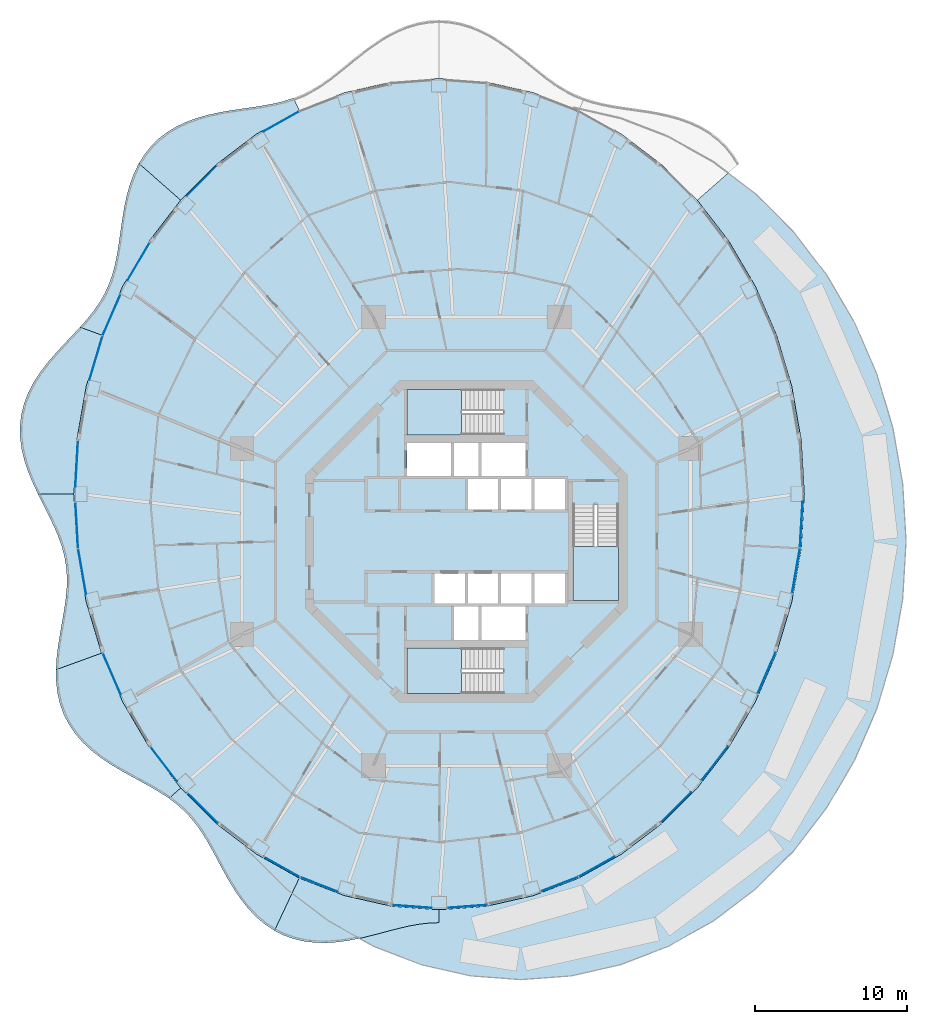
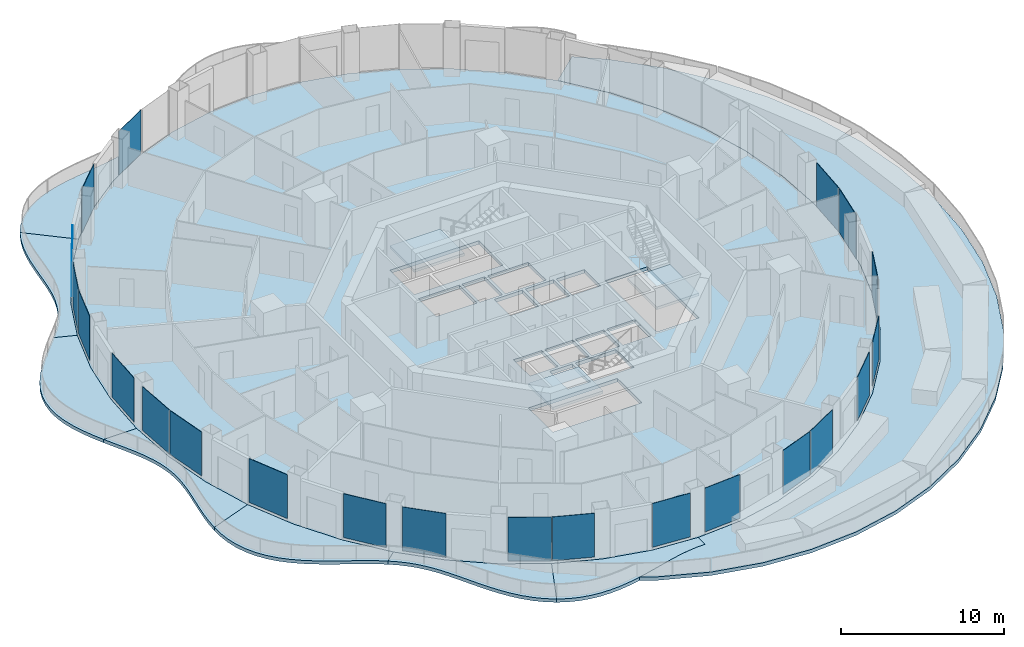
# One storey, part 8 of 18: 22 plates, 12 slabs, 25 elements without a shape of their own.
"""IFC4 building model written with IfcOpenShell, lengths in metres."""

from ifc_helpers import new_model, si_unit, direction, frame, origin, origin_2d, place, context, subcontext, project, spatial, polyline, rectangle, outline, extrude, material, layer, layer_set, type_object, element, aggregate, save


model = new_model("IFC4")

# Units and contexts
model_context = context("Model", 3, precision=1e-05, world=origin(), true_north=direction((0.0, 1.0)))
body_context = subcontext(model_context, "Body", "Model", "MODEL_VIEW")
ifc_project = project(units=[si_unit("LENGTHUNIT", "METRE"), si_unit("AREAUNIT", "SQUARE_METRE"), si_unit("VOLUMEUNIT", "CUBIC_METRE"), si_unit("PLANEANGLEUNIT", "RADIAN"), si_unit("MASSUNIT", "GRAM", prefix="KILO")], contexts=[model_context])

# Site, building, storey
site_placement = place(None, origin())
site = spatial("IfcSite", under=ifc_project, at=site_placement, CompositionType="ELEMENT")
building_placement = place(site_placement, origin())
building = spatial("IfcBuilding", under=site, at=building_placement, Name="Nagisa Residences", CompositionType="ELEMENT")
storey_placement = place(building_placement, frame((0.0, 0.0, 212.199951171875)))
storey = spatial("IfcBuildingStorey", under=building, at=storey_placement, Name="L53", CompositionType="ELEMENT", Elevation=212.199951171875)

# Slabs
ifc_material_1 = material(Name="Concrete C40/50", Category="concrete")
ifc_layer_1 = layer(ifc_material_1, 0.25)
ifc_layer_set_1 = layer_set([ifc_layer_1], Name="BALCONY SLAB 250")
slab_type_1 = type_object("IfcSlabType", Name="BALCONY SLAB 250", PredefinedType="FLOOR", material=ifc_layer_set_1)
slab_1_placement = place(storey_placement, frame((0.0, 0.0, -0.25)))
element("IfcSlab", 1, at=slab_1_placement, inside=storey, type_object=slab_type_1, Name="slab:L53:bal05", PredefinedType="FLOOR", context=body_context, shape_type="SweptSolid", body=[
    extrude(outline(polyline([(-11.384521484375, 29.21484375), (-12.0029296875, 29.016845703125), (-12.648193359375, 28.857421875), (-13.320556640625, 28.727783203125), (-14.0185546875, 28.617431640625), (-14.737548828125, 28.514404296875), (-15.4716796875, 28.405517578125), (-16.212646484375, 28.2783203125), (-16.951171875, 28.12060546875), (-17.676513671875, 27.92138671875), (-18.378173828125, 27.67138671875), (-19.045166015625, 27.3642578125), (-19.66748046875, 26.9951171875), (-20.2373046875, 26.562744140625), (-20.747802734375, 26.068115234375), (-21.194580078125, 25.514404296875), (-21.576416015625, 24.90771484375), (-18.820068359375, 22.4853515625), (-16.452880859375, 24.84765625), (-13.8349609375, 26.838134765625), (-11.01123046875, 28.4228515625), (-11.384521484375, 29.21484375)])), origin(), (0.0, 0.0, 1.0), 0.25),
])
slab_2_placement = place(storey_placement, frame((0.0, 0.0, -0.25)))
element("IfcSlab", 2, at=slab_2_placement, inside=storey, type_object=slab_type_1, Name="slab:L53:bal06", PredefinedType="FLOOR", context=body_context, shape_type="SweptSolid", body=[
    extrude(outline(polyline([(-21.576416015625, 24.90771484375), (-21.908447265625, 24.222412109375), (-22.175048828125, 23.498046875), (-22.384033203125, 22.74560546875), (-22.546142578125, 21.9775390625), (-22.67431640625, 21.20556640625), (-22.782958984375, 20.43994140625), (-22.88720703125, 19.690185546875), (-23.002197265625, 18.963623046875), (-23.14208984375, 18.26513671875), (-23.31884765625, 17.59765625), (-23.542236328125, 16.961181640625), (-23.818603515625, 16.353759765625), (-24.15087890625, 15.771484375), (-24.538330078125, 15.208984375), (-24.975830078125, 14.659423828125), (-25.45556640625, 14.115478515625), (-24.037841796875, 13.599365234375), (-22.645263671875, 16.812744140625), (-20.89599609375, 19.791748046875), (-18.820068359375, 22.4853515625), (-21.576416015625, 24.90771484375)])), origin(), (0.0, 0.0, 1.0), 0.25),
])
slab_3_placement = place(storey_placement, frame((0.0, 0.0, -0.25)))
element("IfcSlab", 3, at=slab_3_placement, inside=storey, type_object=slab_type_1, Name="slab:L53:bal07", PredefinedType="FLOOR", context=body_context, shape_type="SweptSolid", body=[
    extrude(outline(polyline([(-25.45556640625, 14.115478515625), (-25.982177734375, 13.552490234375), (-26.525634765625, 12.979736328125), (-27.068359375, 12.391357421875), (-27.591552734375, 11.781494140625), (-28.07666015625, 11.146728515625), (-28.506103515625, 10.485595703125), (-28.864501953125, 9.798583984375), (-29.139404296875, 9.08740234375), (-29.322265625, 8.356201171875), (-29.40869140625, 7.609619140625), (-29.399169921875, 6.853271484375), (-29.29833984375, 6.093017578125), (-29.11572265625, 5.3349609375), (-28.864013671875, 4.583984375), (-28.559326171875, 3.843994140625), (-28.219970703125, 3.11767578125), (-25.8701171875, 3.11767578125), (-25.6640625, 6.69287109375), (-25.0498046875, 10.206787109375), (-24.037841796875, 13.599365234375), (-25.45556640625, 14.115478515625)])), origin(), (0.0, 0.0, 1.0), 0.25),
])
slab_4_placement = place(storey_placement, frame((0.0, 0.0, -0.25)))
element("IfcSlab", 4, at=slab_4_placement, inside=storey, type_object=slab_type_1, Name="slab:L53:bal08", PredefinedType="FLOOR", context=body_context, shape_type="SweptSolid", body=[
    extrude(outline(polyline([(-28.219970703125, 3.11767578125), (-27.865234375, 2.406494140625), (-27.514404296875, 1.70947265625), (-27.185546875, 1.02490234375), (-26.894775390625, 0.34912109375), (-26.655517578125, -0.322021484375), (-26.476318359375, -0.993896484375), (-26.3623046875, -1.671630859375), (-26.313720703125, -2.3603515625), (-26.32666015625, -3.064453125), (-26.391845703125, -3.78662109375), (-26.49755859375, -4.528564453125), (-26.6279296875, -5.289794921875), (-26.765625, -6.068115234375), (-26.891845703125, -6.859375), (-26.988037109375, -7.65771484375), (-27.03662109375, -8.45556640625), (-24.037841796875, -7.364013671875), (-25.0498046875, -3.971435546875), (-25.6640625, -0.45751953125), (-25.8701171875, 3.11767578125), (-28.219970703125, 3.11767578125)])), origin(), (0.0, 0.0, 1.0), 0.25),
])
slab_5_placement = place(storey_placement, frame((0.0, 0.0, -0.25)))
element("IfcSlab", 5, at=slab_5_placement, inside=storey, type_object=slab_type_1, Name="slab:L53:bal09", PredefinedType="FLOOR", context=body_context, shape_type="SweptSolid", body=[
    extrude(outline(polyline([(-27.03662109375, -8.45556640625), (-27.0234375, -9.220458984375), (-26.939453125, -9.96923828125), (-26.776123046875, -10.69384765625), (-26.529052734375, -11.38671875), (-26.197265625, -12.0419921875), (-25.783447265625, -12.654541015625), (-25.294677734375, -13.22216796875), (-24.739990234375, -13.743896484375), (-24.132080078125, -14.221923828125), (-23.485107421875, -14.66015625), (-22.814208984375, -15.065673828125), (-22.13427734375, -15.4462890625), (-21.46044921875, -15.812255859375), (-20.8056640625, -16.174072265625), (-20.180908203125, -16.543212890625), (-19.593994140625, -16.93017578125), (-18.820068359375, -16.25), (-20.89599609375, -13.556396484375), (-22.645263671875, -10.577392578125), (-24.037841796875, -7.364013671875), (-27.03662109375, -8.45556640625)])), origin(), (0.0, 0.0, 1.0), 0.25),
])
slab_6_placement = place(storey_placement, frame((0.0, 0.0, -0.25)))
element("IfcSlab", 6, at=slab_6_placement, inside=storey, type_object=slab_type_1, Name="slab:L53:bal10", PredefinedType="FLOOR", context=body_context, shape_type="SweptSolid", body=[
    extrude(outline(polyline([(-19.593994140625, -16.93017578125), (-19.074951171875, -17.324462890625), (-18.59619140625, -17.7509765625), (-18.15673828125, -18.214111328125), (-17.7529296875, -18.717041015625), (-17.378173828125, -19.259765625), (-17.02490234375, -19.840087890625), (-16.68310546875, -20.452392578125), (-16.3427734375, -21.08935546875), (-15.99365234375, -21.74072265625), (-15.625732421875, -22.39501953125), (-15.22998046875, -23.039306640625), (-14.798828125, -23.65966796875), (-14.326904296875, -24.242919921875), (-13.810302734375, -24.775634765625), (-13.248291015625, -25.246826171875), (-12.6416015625, -25.646728515625), (-11.01123046875, -22.187255859375), (-13.8349609375, -20.602783203125), (-16.452880859375, -18.6123046875), (-18.820068359375, -16.25), (-19.593994140625, -16.93017578125)])), origin(), (0.0, 0.0, 1.0), 0.25),
])
slab_7_placement = place(storey_placement, frame((0.0, 0.0, -0.25)))
element("IfcSlab", 7, at=slab_7_placement, inside=storey, type_object=slab_type_1, Name="slab:L53:bal11", PredefinedType="FLOOR", context=body_context, shape_type="SweptSolid", body=[
    extrude(outline(polyline([(-12.6416015625, -25.646728515625), (-12.01806640625, -25.95849609375), (-11.36083984375, -26.194091796875), (-10.675537109375, -26.353271484375), (-9.968994140625, -26.437744140625), (-9.24853515625, -26.45263671875), (-8.521240234375, -26.40576171875), (-7.794189453125, -26.306640625), (-7.0732421875, -26.1669921875), (-6.363037109375, -26.000244140625), (-5.66748046875, -25.8193359375), (-4.988037109375, -25.63818359375), (-4.325439453125, -25.4697265625), (-3.678466796875, -25.325439453125), (-3.04443359375, -25.215087890625), (-2.419921875, -25.14599609375), (-1.800048828125, -25.122314453125), (-1.800048828125, -24.272216796875), (-4.941650390625, -24.0380859375), (-8.02978515625, -23.339111328125), (-11.01123046875, -22.187255859375), (-12.6416015625, -25.646728515625)])), origin(), (0.0, 0.0, 1.0), 0.25),
])

# Curtain wall, plate
ifc_material_2 = material(Name="Concrete-coloured aluminium curtain wall system", Category="concrete")
ifc_layer_2 = layer(ifc_material_2, 0.159912109375)
ifc_layer_set_2 = layer_set([ifc_layer_2], Name="CW1 CURTAIN WALL")
curtain_wall_type = type_object("IfcCurtainWallType", Name="CW1 CURTAIN WALL", PredefinedType="NOTDEFINED", material=ifc_layer_set_2)
curtain_wall_1_placement = place(storey_placement, origin())
curtain_wall_1 = element("IfcCurtainWall", 8, at=curtain_wall_1_placement, inside=storey, type_object=curtain_wall_type, Name="cw:CW1:L53:15", PredefinedType="NOTDEFINED")
ifc_material_3 = material(Name="Clear laminated glass", Category="glass")
ifc_layer_3 = layer(ifc_material_3, 0.028076171875)
ifc_layer_set_3 = layer_set([ifc_layer_3], Name="CW1 GLASS PANEL")
plate_type = type_object("IfcPlateType", Name="CW1 GLASS PANEL", PredefinedType="CURTAIN_PANEL", material=ifc_layer_set_3)
plate_1_placement = place(storey_placement, frame((-12.192138671875, 27.66845703125, 0.150146484375), z_axis=(0.0, 0.0, 1.0), x_axis=(-0.872072377523, -0.489376918501, 0.0)))
plate_1 = element("IfcPlate", 9, at=plate_1_placement, type_object=plate_type, Name="CW1 panel", PredefinedType="CURTAIN_PANEL", context=body_context, shape_type="SweptSolid", body=[
    extrude(rectangle(XDim=2.677978515625, YDim=0.028076171875, at=origin_2d()), origin(), (0.0, 0.0, 1.0), 3.2900390625),
])
aggregate(curtain_wall_1, [plate_1])

curtain_wall_2_placement = place(storey_placement, origin())
curtain_wall_2 = element("IfcCurtainWall", 10, at=curtain_wall_2_placement, inside=storey, type_object=curtain_wall_type, Name="cw:CW1:L53:17", PredefinedType="NOTDEFINED")
plate_2_placement = place(storey_placement, frame((-17.42431640625, 23.765380859375, 0.150146484375), z_axis=(0.0, 0.0, 1.0), x_axis=(-0.707835924016, -0.706376885714, 0.0)))
plate_2 = element("IfcPlate", 11, at=plate_2_placement, type_object=plate_type, Name="CW1 panel", PredefinedType="CURTAIN_PANEL", context=body_context, shape_type="SweptSolid", body=[
    extrude(rectangle(XDim=2.7841796875, YDim=0.028076171875, at=origin_2d()), origin(), (0.0, 0.0, 1.0), 3.2900390625),
])
aggregate(curtain_wall_2, [plate_2])

curtain_wall_3_placement = place(storey_placement, origin())
curtain_wall_3 = element("IfcCurtainWall", 12, at=curtain_wall_3_placement, inside=storey, type_object=curtain_wall_type, Name="cw:CW1:L53:19", PredefinedType="NOTDEFINED")
plate_3_placement = place(storey_placement, frame((-21.59033203125, 18.451416015625, 0.150146484375), z_axis=(0.0, 0.0, 1.0), x_axis=(-0.506348567002, -0.862328898214, 0.0)))
plate_3 = element("IfcPlate", 13, at=plate_3_placement, type_object=plate_type, Name="CW1 panel", PredefinedType="CURTAIN_PANEL", context=body_context, shape_type="SweptSolid", body=[
    extrude(rectangle(XDim=2.89453125, YDim=0.028076171875, at=origin_2d()), origin(), (0.0, 0.0, 1.0), 3.2900390625),
])
aggregate(curtain_wall_3, [plate_3])

curtain_wall_4_placement = place(storey_placement, origin())
curtain_wall_4 = element("IfcCurtainWall", 14, at=curtain_wall_4_placement, inside=storey, type_object=curtain_wall_type, Name="cw:CW1:L53:20", PredefinedType="NOTDEFINED")
plate_4_placement = place(storey_placement, frame((-23.37939453125, 14.917236328125, 0.150146484375), z_axis=(0.0, 0.0, 1.0), x_axis=(-0.397635934147, -0.917543276295, 0.0)))
plate_4 = element("IfcPlate", 15, at=plate_4_placement, type_object=plate_type, Name="CW1 panel", PredefinedType="CURTAIN_PANEL", context=body_context, shape_type="SweptSolid", body=[
    extrude(rectangle(XDim=2.942138671875, YDim=0.028076171875, at=origin_2d()), origin(), (0.0, 0.0, 1.0), 3.2900390625),
])
aggregate(curtain_wall_4, [plate_4])

curtain_wall_5_placement = place(storey_placement, origin())
curtain_wall_5 = element("IfcCurtainWall", 16, at=curtain_wall_5_placement, inside=storey, type_object=curtain_wall_type, Name="cw:CW1:L53:21", PredefinedType="NOTDEFINED")
plate_5_placement = place(storey_placement, frame((-24.404296875, 12.091064453125, 0.150146484375), z_axis=(0.0, 0.0, 1.0), x_axis=(-0.285860274038, -0.958271310082, 0.0)))
plate_5 = element("IfcPlate", 17, at=plate_5_placement, type_object=plate_type, Name="CW1 panel", PredefinedType="CURTAIN_PANEL", context=body_context, shape_type="SweptSolid", body=[
    extrude(rectangle(XDim=2.98046875, YDim=0.028076171875, at=origin_2d()), origin(), (0.0, 0.0, 1.0), 3.2900390625),
])
aggregate(curtain_wall_5, [plate_5])

curtain_wall_6_placement = place(storey_placement, origin())
curtain_wall_6 = element("IfcCurtainWall", 18, at=curtain_wall_6_placement, inside=storey, type_object=curtain_wall_type, Name="cw:CW1:L53:23", PredefinedType="NOTDEFINED")
plate_6_placement = place(storey_placement, frame((-25.674560546875, 5.120361328125, 0.150146484375), z_axis=(0.0, 0.0, 1.0), x_axis=(-0.057503492216, -0.998345305184, 0.0)))
plate_6 = element("IfcPlate", 19, at=plate_6_placement, type_object=plate_type, Name="CW1 panel", PredefinedType="CURTAIN_PANEL", context=body_context, shape_type="SweptSolid", body=[
    extrude(rectangle(XDim=3.02099609375, YDim=0.028076171875, at=origin_2d()), origin(), (0.0, 0.0, 1.0), 3.2900390625),
])
aggregate(curtain_wall_6, [plate_6])

curtain_wall_7_placement = place(storey_placement, origin())
curtain_wall_7 = element("IfcCurtainWall", 20, at=curtain_wall_7_placement, inside=storey, type_object=curtain_wall_type, Name="cw:CW1:L53:24", PredefinedType="NOTDEFINED")
plate_7_placement = place(storey_placement, frame((-25.671142578125, 1.05517578125, 0.150146484375), z_axis=(0.0, 0.0, 1.0), x_axis=(0.057503492216, -0.998345305184, 0.0)))
plate_7 = element("IfcPlate", 21, at=plate_7_placement, type_object=plate_type, Name="CW1 panel", PredefinedType="CURTAIN_PANEL", context=body_context, shape_type="SweptSolid", body=[
    extrude(rectangle(XDim=3.02099609375, YDim=0.028076171875, at=origin_2d()), origin(), (0.0, 0.0, 1.0), 3.2900390625),
])
aggregate(curtain_wall_7, [plate_7])

curtain_wall_8_placement = place(storey_placement, origin())
curtain_wall_8 = element("IfcCurtainWall", 22, at=curtain_wall_8_placement, inside=storey, type_object=curtain_wall_type, Name="cw:CW1:L53:25", PredefinedType="NOTDEFINED")
plate_8_placement = place(storey_placement, frame((-25.31591796875, -1.98388671875, 0.150146484375), z_axis=(0.0, 0.0, 1.0), x_axis=(0.172190868898, -0.985063604377, 0.0)))
plate_8 = element("IfcPlate", 23, at=plate_8_placement, type_object=plate_type, Name="CW1 panel", PredefinedType="CURTAIN_PANEL", context=body_context, shape_type="SweptSolid", body=[
    extrude(rectangle(XDim=3.00732421875, YDim=0.028076171875, at=origin_2d()), origin(), (0.0, 0.0, 1.0), 3.2900390625),
])
aggregate(curtain_wall_8, [plate_8])

curtain_wall_9_placement = place(storey_placement, origin())
curtain_wall_9 = element("IfcCurtainWall", 24, at=curtain_wall_9_placement, inside=storey, type_object=curtain_wall_type, Name="cw:CW1:L53:27", PredefinedType="NOTDEFINED")
plate_9_placement = place(storey_placement, frame((-23.35546875, -8.737060546875, 0.150146484375), z_axis=(0.0, 0.0, 1.0), x_axis=(0.397635934147, -0.917543276295, 0.0)))
plate_9 = element("IfcPlate", 25, at=plate_9_placement, type_object=plate_type, Name="CW1 panel", PredefinedType="CURTAIN_PANEL", context=body_context, shape_type="SweptSolid", body=[
    extrude(rectangle(XDim=2.942138671875, YDim=0.028076171875, at=origin_2d()), origin(), (0.0, 0.0, 1.0), 3.2900390625),
])
aggregate(curtain_wall_9, [plate_9])

curtain_wall_10_placement = place(storey_placement, origin())
curtain_wall_10 = element("IfcCurtainWall", 26, at=curtain_wall_10_placement, inside=storey, type_object=curtain_wall_type, Name="cw:CW1:L53:29", PredefinedType="NOTDEFINED")
plate_10_placement = place(storey_placement, frame((-19.928955078125, -14.679931640625, 0.150146484375), z_axis=(0.0, 0.0, 1.0), x_axis=(0.610429828235, -0.792070340816, 0.0)))
plate_10 = element("IfcPlate", 27, at=plate_10_placement, type_object=plate_type, Name="CW1 panel", PredefinedType="CURTAIN_PANEL", context=body_context, shape_type="SweptSolid", body=[
    extrude(rectangle(XDim=2.8408203125, YDim=0.028076171875, at=origin_2d()), origin(), (0.0, 0.0, 1.0), 3.2900390625),
])
aggregate(curtain_wall_10, [plate_10])

curtain_wall_11_placement = place(storey_placement, origin())
curtain_wall_11 = element("IfcCurtainWall", 28, at=curtain_wall_11_placement, inside=storey, type_object=curtain_wall_type, Name="cw:CW1:L53:30", PredefinedType="NOTDEFINED")
plate_11_placement = place(storey_placement, frame((-17.3818359375, -17.572265625, 0.150146484375), z_axis=(0.0, 0.0, 1.0), x_axis=(0.707835924016, -0.706376885714, 0.0)))
plate_11 = element("IfcPlate", 29, at=plate_11_placement, type_object=plate_type, Name="CW1 panel", PredefinedType="CURTAIN_PANEL", context=body_context, shape_type="SweptSolid", body=[
    extrude(rectangle(XDim=2.7841796875, YDim=0.028076171875, at=origin_2d()), origin(), (0.0, 0.0, 1.0), 3.2900390625),
])
aggregate(curtain_wall_11, [plate_11])

curtain_wall_12_placement = place(storey_placement, origin())
curtain_wall_12 = element("IfcCurtainWall", 30, at=curtain_wall_12_placement, inside=storey, type_object=curtain_wall_type, Name="cw:CW1:L53:32", PredefinedType="NOTDEFINED")
plate_12_placement = place(storey_placement, frame((-12.1396484375, -21.46240234375, 0.150146484375), z_axis=(0.0, 0.0, 1.0), x_axis=(0.872072377523, -0.489376918501, 0.0)))
plate_12 = element("IfcPlate", 31, at=plate_12_placement, type_object=plate_type, Name="CW1 panel", PredefinedType="CURTAIN_PANEL", context=body_context, shape_type="SweptSolid", body=[
    extrude(rectangle(XDim=2.677978515625, YDim=0.028076171875, at=origin_2d()), origin(), (0.0, 0.0, 1.0), 3.2900390625),
])
aggregate(curtain_wall_12, [plate_12])

curtain_wall_13_placement = place(storey_placement, origin())
curtain_wall_13 = element("IfcCurtainWall", 32, at=curtain_wall_13_placement, inside=storey, type_object=curtain_wall_type, Name="cw:CW1:L53:33", PredefinedType="NOTDEFINED")
plate_13_placement = place(storey_placement, frame((-9.69677734375, -22.609375, 0.150146484375), z_axis=(0.0, 0.0, 1.0), x_axis=(0.932825759707, -0.360327770268, 0.0)))
plate_13 = element("IfcPlate", 33, at=plate_13_placement, type_object=plate_type, Name="CW1 panel", PredefinedType="CURTAIN_PANEL", context=body_context, shape_type="SweptSolid", body=[
    extrude(rectangle(XDim=2.63623046875, YDim=0.028076171875, at=origin_2d()), origin(), (0.0, 0.0, 1.0), 3.2900390625),
])
aggregate(curtain_wall_13, [plate_13])

curtain_wall_14_placement = place(storey_placement, origin())
curtain_wall_14 = element("IfcCurtainWall", 34, at=curtain_wall_14_placement, inside=storey, type_object=curtain_wall_type, Name="cw:CW1:L53:35", PredefinedType="NOTDEFINED")
plate_14_placement = place(storey_placement, frame((-3.584228515625, -24.05908203125, 0.150146484375), z_axis=(0.0, 0.0, 1.0), x_axis=(0.997230168512, -0.074377355493, 0.0)))
plate_14 = element("IfcPlate", 35, at=plate_14_placement, type_object=plate_type, Name="CW1 panel", PredefinedType="CURTAIN_PANEL", context=body_context, shape_type="SweptSolid", body=[
    extrude(rectangle(XDim=2.590576171875, YDim=0.028076171875, at=origin_2d()), origin(), (0.0, 0.0, 1.0), 3.2900390625),
])
aggregate(curtain_wall_14, [plate_14])

curtain_wall_15_placement = place(storey_placement, origin())
curtain_wall_15 = element("IfcCurtainWall", 36, at=curtain_wall_15_placement, inside=storey, type_object=curtain_wall_type, Name="cw:CW1:L53:36", PredefinedType="NOTDEFINED")
plate_15_placement = place(storey_placement, frame((0.044189453125, -24.054443359375, 0.150146484375), z_axis=(0.0, 0.0, 1.0), x_axis=(0.997230168512, 0.074377355493, 0.0)))
plate_15 = element("IfcPlate", 37, at=plate_15_placement, type_object=plate_type, Name="CW1 panel", PredefinedType="CURTAIN_PANEL", context=body_context, shape_type="SweptSolid", body=[
    extrude(rectangle(XDim=2.590576171875, YDim=0.028076171875, at=origin_2d()), origin(), (0.0, 0.0, 1.0), 3.2900390625),
])
aggregate(curtain_wall_15, [plate_15])

curtain_wall_16_placement = place(storey_placement, origin())
curtain_wall_16 = element("IfcCurtainWall", 38, at=curtain_wall_16_placement, inside=storey, type_object=curtain_wall_type, Name="cw:CW1:L53:38", PredefinedType="NOTDEFINED")
plate_16_placement = place(storey_placement, frame((6.15283203125, -22.587646484375, 0.150146484375), z_axis=(0.0, 0.0, 1.0), x_axis=(0.932825759707, 0.360327770268, 0.0)))
plate_16 = element("IfcPlate", 39, at=plate_16_placement, type_object=plate_type, Name="CW1 panel", PredefinedType="CURTAIN_PANEL", context=body_context, shape_type="SweptSolid", body=[
    extrude(rectangle(XDim=2.63623046875, YDim=0.028076171875, at=origin_2d()), origin(), (0.0, 0.0, 1.0), 3.2900390625),
])
aggregate(curtain_wall_16, [plate_16])

curtain_wall_17_placement = place(storey_placement, origin())
curtain_wall_17 = element("IfcCurtainWall", 40, at=curtain_wall_17_placement, inside=storey, type_object=curtain_wall_type, Name="cw:CW1:L53:39", PredefinedType="NOTDEFINED")
plate_17_placement = place(storey_placement, frame((8.592041015625, -21.432861328125, 0.150146484375), z_axis=(0.0, 0.0, 1.0), x_axis=(0.872072377523, 0.489376918501, 0.0)))
plate_17 = element("IfcPlate", 41, at=plate_17_placement, type_object=plate_type, Name="CW1 panel", PredefinedType="CURTAIN_PANEL", context=body_context, shape_type="SweptSolid", body=[
    extrude(rectangle(XDim=2.677978515625, YDim=0.028076171875, at=origin_2d()), origin(), (0.0, 0.0, 1.0), 3.2900390625),
])
aggregate(curtain_wall_17, [plate_17])

curtain_wall_18_placement = place(storey_placement, origin())
curtain_wall_18 = element("IfcCurtainWall", 42, at=curtain_wall_18_placement, inside=storey, type_object=curtain_wall_type, Name="cw:CW1:L53:41", PredefinedType="NOTDEFINED")
plate_18_placement = place(storey_placement, frame((13.82421875, -17.52978515625, 0.150146484375), z_axis=(0.0, 0.0, 1.0), x_axis=(0.707835924016, 0.706376885714, 0.0)))
plate_18 = element("IfcPlate", 43, at=plate_18_placement, type_object=plate_type, Name="CW1 panel", PredefinedType="CURTAIN_PANEL", context=body_context, shape_type="SweptSolid", body=[
    extrude(rectangle(XDim=2.7841796875, YDim=0.028076171875, at=origin_2d()), origin(), (0.0, 0.0, 1.0), 3.2900390625),
])
aggregate(curtain_wall_18, [plate_18])

curtain_wall_19_placement = place(storey_placement, origin())
curtain_wall_19 = element("IfcCurtainWall", 44, at=curtain_wall_19_placement, inside=storey, type_object=curtain_wall_type, Name="cw:CW1:L53:42", PredefinedType="NOTDEFINED")
plate_19_placement = place(storey_placement, frame((16.365478515625, -14.632568359375, 0.150146484375), z_axis=(0.0, 0.0, 1.0), x_axis=(0.610429828235, 0.792070340816, 0.0)))
plate_19 = element("IfcPlate", 45, at=plate_19_placement, type_object=plate_type, Name="CW1 panel", PredefinedType="CURTAIN_PANEL", context=body_context, shape_type="SweptSolid", body=[
    extrude(rectangle(XDim=2.8408203125, YDim=0.028076171875, at=origin_2d()), origin(), (0.0, 0.0, 1.0), 3.2900390625),
])
aggregate(curtain_wall_19, [plate_19])

curtain_wall_20_placement = place(storey_placement, origin())
curtain_wall_20 = element("IfcCurtainWall", 46, at=curtain_wall_20_placement, inside=storey, type_object=curtain_wall_type, Name="cw:CW1:L53:44", PredefinedType="NOTDEFINED")
plate_20_placement = place(storey_placement, frame((19.779541015625, -8.681884765625, 0.150146484375), z_axis=(0.0, 0.0, 1.0), x_axis=(0.397635934147, 0.917543276295, 0.0)))
plate_20 = element("IfcPlate", 47, at=plate_20_placement, type_object=plate_type, Name="CW1 panel", PredefinedType="CURTAIN_PANEL", context=body_context, shape_type="SweptSolid", body=[
    extrude(rectangle(XDim=2.942138671875, YDim=0.028076171875, at=origin_2d()), origin(), (0.0, 0.0, 1.0), 3.2900390625),
])
aggregate(curtain_wall_20, [plate_20])

curtain_wall_21_placement = place(storey_placement, origin())
curtain_wall_21 = element("IfcCurtainWall", 48, at=curtain_wall_21_placement, inside=storey, type_object=curtain_wall_type, Name="cw:CW1:L53:46", PredefinedType="NOTDEFINED")
plate_21_placement = place(storey_placement, frame((21.726318359375, -1.9248046875, 0.150146484375), z_axis=(0.0, 0.0, 1.0), x_axis=(0.172190868898, 0.985063604377, 0.0)))
plate_21 = element("IfcPlate", 49, at=plate_21_placement, type_object=plate_type, Name="CW1 panel", PredefinedType="CURTAIN_PANEL", context=body_context, shape_type="SweptSolid", body=[
    extrude(rectangle(XDim=3.00732421875, YDim=0.028076171875, at=origin_2d()), origin(), (0.0, 0.0, 1.0), 3.2900390625),
])
aggregate(curtain_wall_21, [plate_21])

curtain_wall_22_placement = place(storey_placement, origin())
curtain_wall_22 = element("IfcCurtainWall", 50, at=curtain_wall_22_placement, inside=storey, type_object=curtain_wall_type, Name="cw:CW1:L53:47", PredefinedType="NOTDEFINED")
plate_22_placement = place(storey_placement, frame((22.074462890625, 1.114990234375, 0.150146484375), z_axis=(0.0, 0.0, 1.0), x_axis=(0.057503492216, 0.998345305184, 0.0)))
plate_22 = element("IfcPlate", 51, at=plate_22_placement, type_object=plate_type, Name="CW1 panel", PredefinedType="CURTAIN_PANEL", context=body_context, shape_type="SweptSolid", body=[
    extrude(rectangle(XDim=3.02099609375, YDim=0.028076171875, at=origin_2d()), origin(), (0.0, 0.0, 1.0), 3.2900390625),
])
aggregate(curtain_wall_22, [plate_22])

# Slabs
ifc_material_4 = material(Name="Concrete C40", Category="concrete")
ifc_layer_4 = layer(ifc_material_4, 0.260009765625)
ifc_layer_set_4 = layer_set([ifc_layer_4], Name="Floor slab 260")
slab_type_2 = type_object("IfcSlabType", Name="Floor slab 260", PredefinedType="FLOOR", material=ifc_layer_set_4)
slab_8_placement = place(storey_placement, frame((0.0, 0.0, -0.260009765625)))
element("IfcSlab", 52, at=slab_8_placement, inside=storey, type_object=slab_type_2, Name="slab:L53:floor", PredefinedType="FLOOR", context=body_context, shape_type="SweptSolid", body=[
    extrude(outline(polyline([(22.27001953125, 3.11767578125), (22.06396484375, 6.69287109375), (21.449951171875, 10.206787109375), (20.437744140625, 13.599365234375), (19.045166015625, 16.812744140625), (17.2958984375, 19.791748046875), (15.219970703125, 22.4853515625), (12.852783203125, 24.84765625), (10.235107421875, 26.838134765625), (7.4111328125, 28.4228515625), (4.4296875, 29.574462890625), (1.341796875, 30.2734375), (-1.800048828125, 30.5078125), (-4.941650390625, 30.2734375), (-8.02978515625, 29.574462890625), (-11.01123046875, 28.4228515625), (-13.8349609375, 26.838134765625), (-16.452880859375, 24.84765625), (-18.820068359375, 22.4853515625), (-20.89599609375, 19.791748046875), (-22.645263671875, 16.812744140625), (-24.037841796875, 13.599365234375), (-25.0498046875, 10.206787109375), (-25.6640625, 6.69287109375), (-25.8701171875, 3.11767578125), (-25.6640625, -0.45751953125), (-25.0498046875, -3.971435546875), (-24.037841796875, -7.364013671875), (-22.645263671875, -10.577392578125), (-20.89599609375, -13.556396484375), (-18.820068359375, -16.25), (-16.452880859375, -18.6123046875), (-13.8349609375, -20.602783203125), (-11.01123046875, -22.187255859375), (-8.02978515625, -23.339111328125), (-4.941650390625, -24.0380859375), (-1.800048828125, -24.272216796875), (1.341796875, -24.0380859375), (4.4296875, -23.339111328125), (7.4111328125, -22.187255859375), (10.235107421875, -20.602783203125), (12.852783203125, -18.6123046875), (15.219970703125, -16.25), (17.2958984375, -13.556396484375), (19.045166015625, -10.577392578125), (20.437744140625, -7.364013671875), (21.449951171875, -3.971435546875), (22.06396484375, -0.45751953125), (22.27001953125, 3.11767578125)]), holes=[polyline([(2.10009765625, 2.10009765625), (2.10009765625, 4.10009765625), (0.10009765625, 4.10009765625), (0.10009765625, 2.10009765625), (2.10009765625, 2.10009765625)]), polyline([(4.300048828125, 2.10009765625), (4.300048828125, 4.10009765625), (2.300048828125, 4.10009765625), (2.300048828125, 2.10009765625), (4.300048828125, 2.10009765625)]), polyline([(6.5, 2.10009765625), (6.5, 4.10009765625), (4.5, 4.10009765625), (4.5, 2.10009765625), (6.5, 2.10009765625)]), polyline([(-0.10009765625, -4.10009765625), (-0.10009765625, -2.10009765625), (-2.10009765625, -2.10009765625), (-2.10009765625, -4.10009765625), (-0.10009765625, -4.10009765625)]), polyline([(2.10009765625, -4.10009765625), (2.10009765625, -2.10009765625), (0.10009765625, -2.10009765625), (0.10009765625, -4.10009765625), (2.10009765625, -4.10009765625)]), polyline([(4.300048828125, -4.10009765625), (4.300048828125, -2.10009765625), (2.300048828125, -2.10009765625), (2.300048828125, -4.10009765625), (4.300048828125, -4.10009765625)]), polyline([(6.5, -4.10009765625), (6.5, -2.10009765625), (4.5, -2.10009765625), (4.5, -4.10009765625), (6.5, -4.10009765625)]), polyline([(3.89990234375, 4.300048828125), (3.89990234375, 6.5), (1.0, 6.5), (1.0, 4.300048828125), (3.89990234375, 4.300048828125)]), polyline([(3.89990234375, -6.5), (3.89990234375, -4.300048828125), (1.0, -4.300048828125), (1.0, -6.5), (3.89990234375, -6.5)]), polyline([(-1.0, 4.300048828125), (-1.0, 6.5), (-3.89990234375, 6.5), (-3.89990234375, 4.300048828125), (-1.0, 4.300048828125)]), polyline([(0.800048828125, 4.300048828125), (0.800048828125, 6.5), (-0.800048828125, 6.5), (-0.800048828125, 4.300048828125), (0.800048828125, 4.300048828125)]), polyline([(0.800048828125, -6.5), (0.800048828125, -4.300048828125), (-0.800048828125, -4.300048828125), (-0.800048828125, -6.5), (0.800048828125, -6.5)]), polyline([(10.024658203125, -3.89990234375), (7.024658203125, -3.89990234375), (7.024658203125, 2.425048828125), (10.024658203125, 2.425048828125), (10.024658203125, -3.89990234375)]), polyline([(-3.89990234375, 7.024658203125), (-3.89990234375, 10.024658203125), (2.425048828125, 10.024658203125), (2.425048828125, 7.024658203125), (-3.89990234375, 7.024658203125)]), polyline([(-3.89990234375, -10.024658203125), (-3.89990234375, -7.024658203125), (2.425048828125, -7.024658203125), (2.425048828125, -10.024658203125), (-3.89990234375, -10.024658203125)])]), origin(), (0.0, 0.0, 1.0), 0.260009765625),
])
ifc_material_5 = material(Name="Concrete C40/50", Category="concrete")
ifc_layer_5 = layer(ifc_material_5, 0.260009765625)
ifc_layer_set_5 = layer_set([ifc_layer_5], Name="SKY GARDEN ROOF SLAB 260")
slab_type_3 = type_object("IfcSlabType", Name="SKY GARDEN ROOF SLAB 260", PredefinedType="ROOF", material=ifc_layer_set_5)
slab_9_placement = place(storey_placement, frame((0.0, 0.0, -0.260009765625)))
element("IfcSlab", 53, at=slab_9_placement, inside=storey, type_object=slab_type_3, Name="slab:L53:garden0", PredefinedType="ROOF", context=body_context, shape_type="SweptSolid", body=[
    extrude(outline(polyline([(28.1103515625, -7.473388671875), (28.7578125, -3.76904296875), (28.97509765625, 0.0), (28.7578125, 3.76904296875), (28.1103515625, 7.473388671875), (27.04345703125, 11.050048828125), (25.575439453125, 14.4375), (23.7314453125, 17.577880859375), (21.542724609375, 20.417724609375), (19.04736328125, 22.907958984375), (17.25341796875, 24.272216796875), (15.219970703125, 22.4853515625), (17.2958984375, 19.791748046875), (19.045166015625, 16.812744140625), (20.437744140625, 13.599365234375), (21.449951171875, 10.206787109375), (22.06396484375, 6.69287109375), (22.27001953125, 3.11767578125), (22.06396484375, -0.45751953125), (21.449951171875, -3.971435546875), (20.437744140625, -7.364013671875), (19.045166015625, -10.577392578125), (17.2958984375, -13.556396484375), (15.219970703125, -16.25), (12.852783203125, -18.6123046875), (10.235107421875, -20.602783203125), (7.4111328125, -22.187255859375), (4.4296875, -23.339111328125), (1.341796875, -24.0380859375), (-1.800048828125, -24.272216796875), (-1.800048828125, -25.122314453125), (-2.419921875, -25.14599609375), (-3.04443359375, -25.215087890625), (-3.678466796875, -25.325439453125), (-4.325439453125, -25.4697265625), (-4.988037109375, -25.63818359375), (-5.66748046875, -25.8193359375), (-6.363037109375, -26.000244140625), (-7.03515625, -26.158203125), (-6.110595703125, -26.677001953125), (-2.967529296875, -27.89111328125), (0.287841796875, -28.6279296875), (3.60009765625, -28.875), (6.912109375, -28.6279296875), (10.16748046875, -27.89111328125), (13.310546875, -26.677001953125), (16.28759765625, -25.006591796875), (19.04736328125, -22.907958984375), (21.542724609375, -20.417724609375), (23.7314453125, -17.577880859375), (25.575439453125, -14.4375), (27.04345703125, -11.050048828125), (28.1103515625, -7.473388671875)])), origin(), (0.0, 0.0, 1.0), 0.260009765625),
])

# Stair, slab
ifc_material_6 = material(Name="Concrete C60", Category="concrete")
stair_type = type_object("IfcStairType", Name="Exit stair", PredefinedType="HALF_TURN_STAIR", material=ifc_material_6)
stair_1_placement = place(storey_placement, origin())
stair_1 = element("IfcStair", 54, at=stair_1_placement, inside=storey, type_object=stair_type, Name="L53 Exit stair E", PredefinedType="HALF_TURN_STAIR")
ifc_material_7 = material(Name="Concrete C60", Category="concrete")
ifc_layer_6 = layer(ifc_material_7, 0.199951171875)
ifc_layer_set_6 = layer_set([ifc_layer_6], Name="Stair landing")
slab_type_4 = type_object("IfcSlabType", Name="Stair landing", PredefinedType="LANDING", material=ifc_layer_set_6)
slab_10_placement = place(storey_placement, frame((0.0, 0.0, 1.650146484375)))
slab_10 = element("IfcSlab", 55, at=slab_10_placement, type_object=slab_type_4, Name="ST-E landing 1", PredefinedType="LANDING", context=body_context, shape_type="SweptSolid", body=[
    extrude(outline(polyline([(7.024658203125, -0.324951171875), (7.024658203125, -3.89990234375), (10.024658203125, -3.89990234375), (10.024658203125, -0.324951171875), (7.024658203125, -0.324951171875)])), origin(), (0.0, 0.0, 1.0), 0.199951171875),
])
aggregate(stair_1, [slab_10])

stair_2_placement = place(storey_placement, origin())
stair_2 = element("IfcStair", 56, at=stair_2_placement, inside=storey, type_object=stair_type, Name="L53 Exit stair N", PredefinedType="HALF_TURN_STAIR")
slab_11_placement = place(storey_placement, frame((0.0, 0.0, 1.650146484375)))
slab_11 = element("IfcSlab", 57, at=slab_11_placement, type_object=slab_type_4, Name="ST-N landing 1", PredefinedType="LANDING", context=body_context, shape_type="SweptSolid", body=[
    extrude(outline(polyline([(-0.324951171875, 10.024658203125), (-3.89990234375, 10.024658203125), (-3.89990234375, 7.024658203125), (-0.324951171875, 7.024658203125), (-0.324951171875, 10.024658203125)])), origin(), (0.0, 0.0, 1.0), 0.199951171875),
])
aggregate(stair_2, [slab_11])

stair_3_placement = place(storey_placement, origin())
stair_3 = element("IfcStair", 58, at=stair_3_placement, inside=storey, type_object=stair_type, Name="L53 Exit stair S", PredefinedType="HALF_TURN_STAIR")
slab_12_placement = place(storey_placement, frame((0.0, 0.0, 1.650146484375)))
slab_12 = element("IfcSlab", 59, at=slab_12_placement, type_object=slab_type_4, Name="ST-S landing 1", PredefinedType="LANDING", context=body_context, shape_type="SweptSolid", body=[
    extrude(outline(polyline([(-0.324951171875, -7.024658203125), (-3.89990234375, -7.024658203125), (-3.89990234375, -10.024658203125), (-0.324951171875, -10.024658203125), (-0.324951171875, -7.024658203125)])), origin(), (0.0, 0.0, 1.0), 0.199951171875),
])
aggregate(stair_3, [slab_12])

save(model, "model.ifc")
